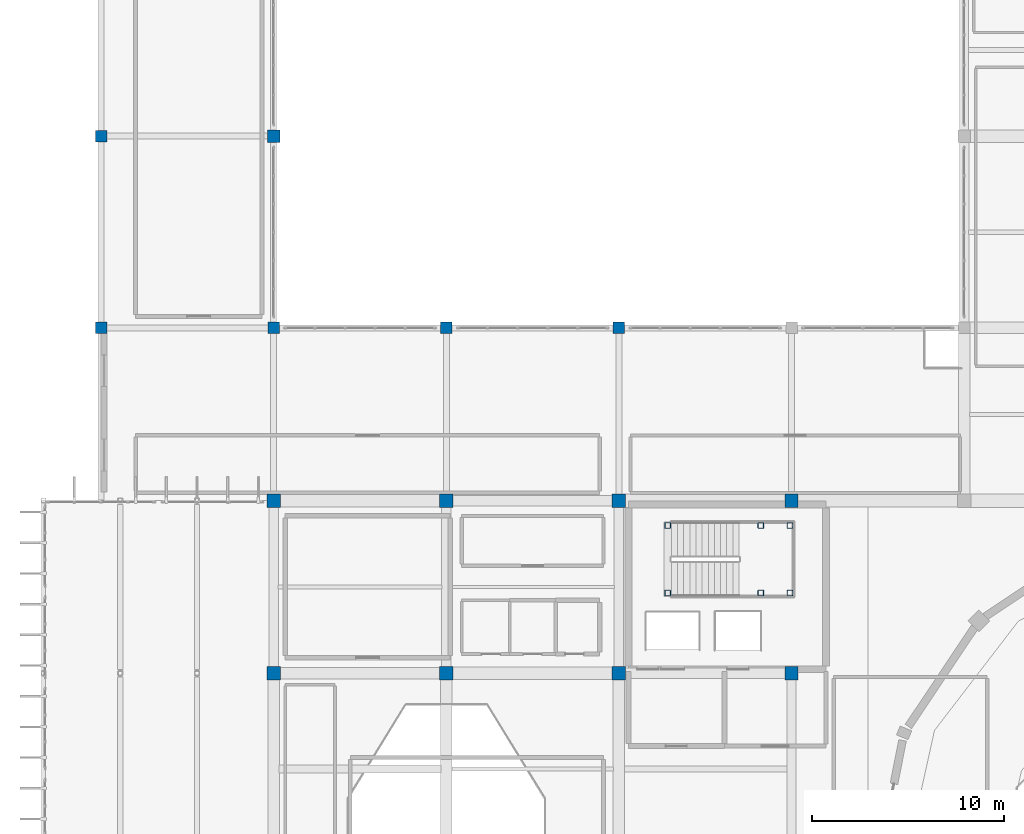
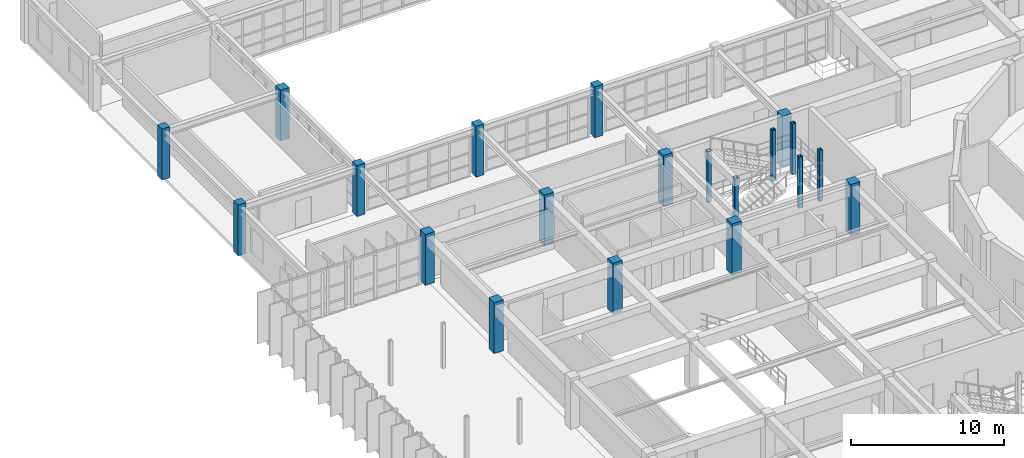
# One storey, part 5 of 110: 20 columns.
"""IFC4 building model written with IfcOpenShell, lengths in metres."""

from ifc_helpers import new_model, si_unit, direction, frame, origin, origin_2d, place, context, subcontext, project, spatial, rectangle, hollow_rectangle, extrude, material, material_profile, profile_set, type_object, element, save


model = new_model("IFC4")

# Units and contexts
model_context = context("Model", 3, precision=1e-05, world=origin(), true_north=direction((0.0, 1.0)))
body_context = subcontext(model_context, "Body", "Model", "MODEL_VIEW")
ifc_project = project(units=[si_unit("LENGTHUNIT", "METRE"), si_unit("AREAUNIT", "SQUARE_METRE"), si_unit("VOLUMEUNIT", "CUBIC_METRE"), si_unit("PLANEANGLEUNIT", "RADIAN"), si_unit("MASSUNIT", "GRAM", prefix="KILO")], contexts=[model_context])

# Site, building, storey
site_placement = place(None, origin())
site = spatial("IfcSite", under=ifc_project, at=site_placement, CompositionType="ELEMENT")
building_placement = place(site_placement, origin())
building = spatial("IfcBuilding", under=site, at=building_placement, Name="Miravela Opera House", CompositionType="ELEMENT")
storey_placement = place(building_placement, frame((0.0, 0.0, 13.60009765625)))
storey = spatial("IfcBuildingStorey", under=building, at=storey_placement, Name="L03", CompositionType="ELEMENT", Elevation=13.60009765625)

# Columns
ifc_material_1 = material(Name="Hollow structural steel ASTM A500 Gr. C", Category="steel")
ifc_material_profile_1 = material_profile(ifc_material_1, hollow_rectangle(XDim=0.300048828125, YDim=0.300048828125, WallThickness=0.01611328125, InnerFilletRadius=0.01611328125, OuterFilletRadius=0.031982421875, at=origin_2d()), Name="HSS300X300X16")
ifc_profile_set_1 = profile_set([ifc_material_profile_1])
column_type_1 = type_object("IfcColumnType", Name="STR-COL-HSS300", PredefinedType="COLUMN", material=ifc_profile_set_1)
for number, where, z_axis, x_axis, name in (
    (1, (47.5400390625, 70.179931640625, 0.0), (0.0, 0.0, 1.0), (1.0, 0.0, 0.0), "Stair K1 Landing Support Column 1 (L03)"),
    (2, (47.5400390625, 73.699951171875, 0.0), (0.0, 0.0, 1.0), (1.0, 0.0, 0.0), "Stair K1 Landing Support Column 2 (L03)"),
    (3, (52.39990234375, 70.179931640625, 0.0), (0.0, 0.0, 1.0), (1.0, 0.0, 0.0), "Stair K1 Landing Support Column 3 (L03)"),
    (4, (52.39990234375, 73.699951171875, 0.0), (0.0, 0.0, 1.0), (1.0, 0.0, 0.0), "Stair K1 Landing Support Column 4 (L03)"),
    (5, (53.919921875, 70.179931640625, 0.0), (0.0, 0.0, 1.0), (1.0, 0.0, 0.0), "Stair K1 Landing Support Column 5 (L03)"),
    (6, (53.919921875, 73.699951171875, 0.0), (0.0, 0.0, 1.0), (1.0, 0.0, 0.0), "Stair K1 Landing Support Column 6 (L03)"),
):
    element("IfcColumn", number, at=place(storey_placement, frame(where, z_axis=z_axis, x_axis=x_axis)), inside=storey, type_object=column_type_1, Name=name, PredefinedType="COLUMN", context=body_context, shape_type="SweptSolid", body=[
        extrude(hollow_rectangle(XDim=0.300048828125, YDim=0.300048828125, WallThickness=0.01611328125, InnerFilletRadius=0.01611328125, OuterFilletRadius=0.031982421875, at=origin_2d()), origin(), (0.0, 0.0, 1.0), 4.079833984375),
    ])
ifc_material_2 = material(Name="Concrete C35/45", Category="concrete")
ifc_material_profile_2 = material_profile(ifc_material_2, rectangle(XDim=0.60009765625, YDim=0.60009765625, at=origin_2d()), Name="RC-COL-600X600")
ifc_profile_set_2 = profile_set([ifc_material_profile_2])
column_type_2 = type_object("IfcColumnType", Name="STR-COL-RC600", PredefinedType="COLUMN", material=ifc_profile_set_2)
for number, where, z_axis, x_axis, name in (
    (7, (18.0, 84.0, 0.0), (0.0, 0.0, 1.0), (1.0, 0.0, 0.0), "Column C-3J (L03)"),
    (8, (18.0, 94.0, 0.0), (0.0, 0.0, 1.0), (1.0, 0.0, 0.0), "Column C-3K (L03)"),
    (9, (27.0, 84.0, 0.0), (0.0, 0.0, 1.0), (1.0, 0.0, 0.0), "Column C-4J (L03)"),
    (10, (36.0, 84.0, 0.0), (0.0, 0.0, 1.0), (1.0, 0.0, 0.0), "Column C-5J (L03)"),
    (11, (45.0, 84.0, 0.0), (0.0, 0.0, 1.0), (1.0, 0.0, 0.0), "Column C-6J (L03)"),
):
    element("IfcColumn", number, at=place(storey_placement, frame(where, z_axis=z_axis, x_axis=x_axis)), inside=storey, type_object=column_type_2, Name=name, PredefinedType="COLUMN", context=body_context, shape_type="SweptSolid", body=[
        extrude(rectangle(XDim=0.60009765625, YDim=0.60009765625, at=origin_2d()), origin(), (0.0, 0.0, 1.0), 4.079833984375),
    ])
ifc_material_profile_3 = material_profile(ifc_material_2, rectangle(XDim=0.64990234375, YDim=0.64990234375, at=origin_2d()), Name="RC-COL-650X650")
ifc_profile_set_3 = profile_set([ifc_material_profile_3])
column_type_3 = type_object("IfcColumnType", Name="STR-COL-RC650", PredefinedType="COLUMN", material=ifc_profile_set_3)
column_placement = place(storey_placement, frame((27.0, 94.0, 0.0), z_axis=(0.0, 0.0, 1.0), x_axis=(1.0, 0.0, 0.0)))
element("IfcColumn", 12, at=column_placement, inside=storey, type_object=column_type_3, Name="Column C-4K (L03)", PredefinedType="COLUMN", context=body_context, shape_type="SweptSolid", body=[
    extrude(rectangle(XDim=0.64990234375, YDim=0.64990234375, at=origin_2d()), origin(), (0.0, 0.0, 1.0), 4.079833984375),
])
ifc_material_profile_4 = material_profile(ifc_material_2, rectangle(XDim=0.699951171875, YDim=0.699951171875, at=origin_2d()), Name="RC-COL-700X700")
ifc_profile_set_4 = profile_set([ifc_material_profile_4])
column_type_4 = type_object("IfcColumnType", Name="STR-COL-RC700", PredefinedType="COLUMN", material=ifc_profile_set_4)
for number, where, z_axis, x_axis, name in (
    (13, (27.0, 66.0, 0.0), (0.0, 0.0, 1.0), (1.0, 0.0, 0.0), "Column C-4H (L03)"),
    (14, (27.0, 75.0, 0.0), (0.0, 0.0, 1.0), (1.0, 0.0, 0.0), "Column C-4I (L03)"),
    (15, (36.0, 66.0, 0.0), (0.0, 0.0, 1.0), (1.0, 0.0, 0.0), "Column C-5H (L03)"),
    (16, (36.0, 75.0, 0.0), (0.0, 0.0, 1.0), (1.0, 0.0, 0.0), "Column C-5I (L03)"),
    (17, (45.0, 66.0, 0.0), (0.0, 0.0, 1.0), (1.0, 0.0, 0.0), "Column C-6H (L03)"),
    (18, (45.0, 75.0, 0.0), (0.0, 0.0, 1.0), (1.0, 0.0, 0.0), "Column C-6I (L03)"),
    (19, (54.0, 66.0, 0.0), (0.0, 0.0, 1.0), (1.0, 0.0, 0.0), "Column C-7H (L03)"),
    (20, (54.0, 75.0, 0.0), (0.0, 0.0, 1.0), (1.0, 0.0, 0.0), "Column C-7I (L03)"),
):
    element("IfcColumn", number, at=place(storey_placement, frame(where, z_axis=z_axis, x_axis=x_axis)), inside=storey, type_object=column_type_4, Name=name, PredefinedType="COLUMN", context=body_context, shape_type="SweptSolid", body=[
        extrude(rectangle(XDim=0.699951171875, YDim=0.699951171875, at=origin_2d()), origin(), (0.0, 0.0, 1.0), 4.079833984375),
    ])

save(model, "model.ifc")
